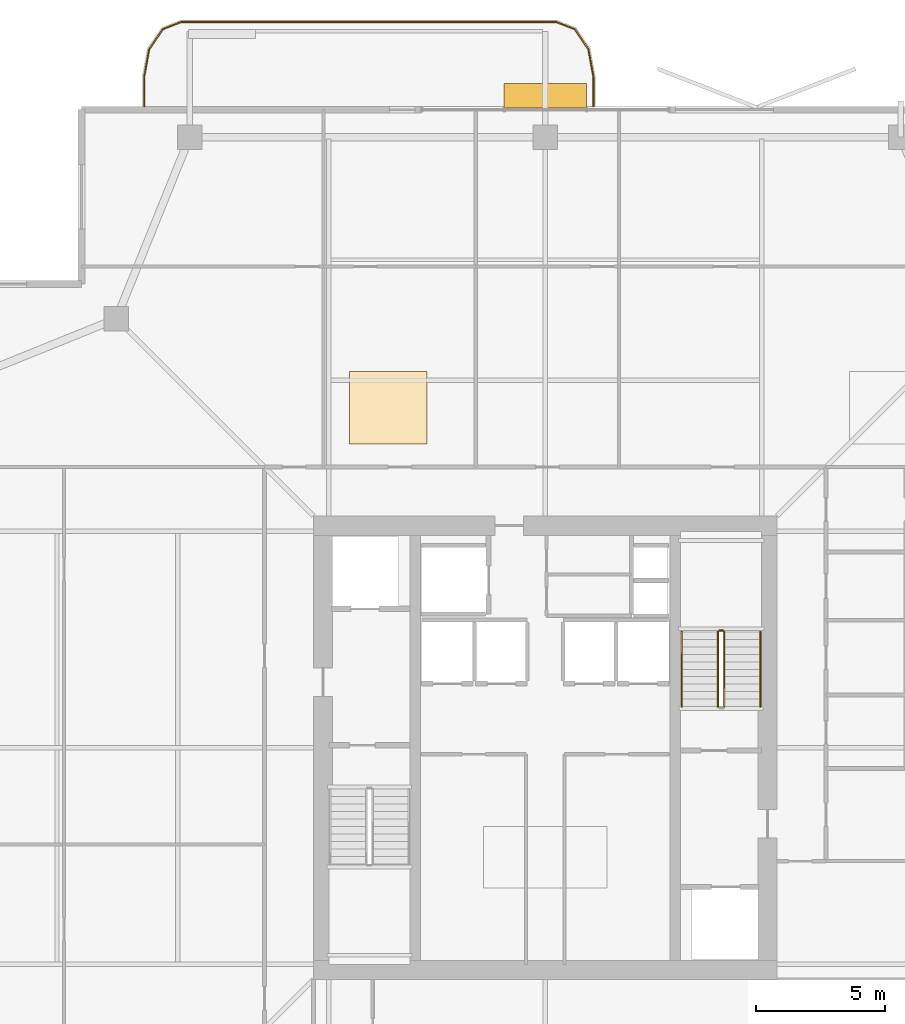
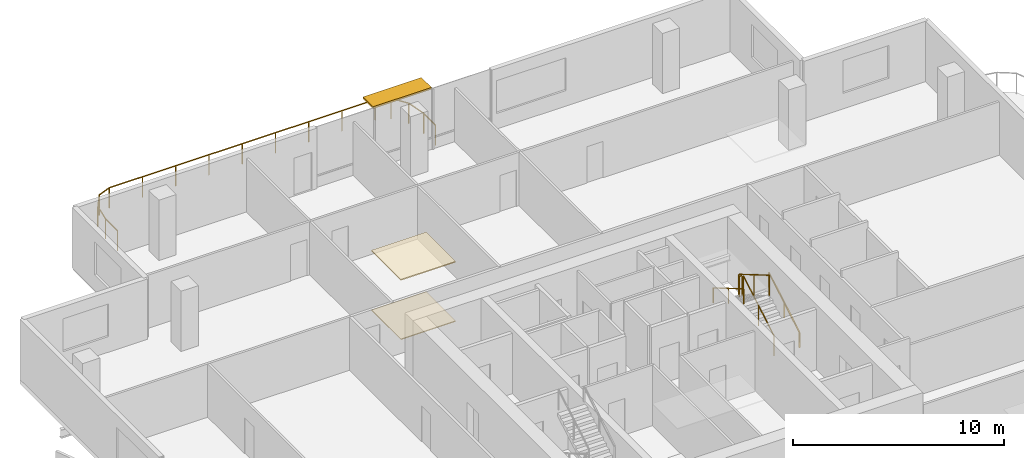
# One storey, part 24 of 25: 6 railings, 2 coverings, 1 shading device.
"""IFC4 building model written with IfcOpenShell, lengths in metres."""

from ifc_helpers import new_model, si_unit, direction, frame, origin, origin_2d, place, context, subcontext, project, spatial, polyline, rectangle, outline, extrude, material, layer, layer_set, type_object, element, save


model = new_model("IFC4")

# Units and contexts
model_context = context("Model", 3, precision=1e-05, world=origin(), true_north=direction((0.0, 1.0)))
body_context = subcontext(model_context, "Body", "Model", "MODEL_VIEW")
ifc_project = project(units=[si_unit("LENGTHUNIT", "METRE"), si_unit("AREAUNIT", "SQUARE_METRE"), si_unit("VOLUMEUNIT", "CUBIC_METRE"), si_unit("PLANEANGLEUNIT", "RADIAN"), si_unit("MASSUNIT", "GRAM", prefix="KILO")], contexts=[model_context])

# Site, building, storey
site_placement = place(None, origin())
site = spatial("IfcSite", under=ifc_project, at=site_placement, CompositionType="ELEMENT")
building_placement = place(site_placement, origin())
building = spatial("IfcBuilding", under=site, at=building_placement, Name="Belovzor Exchange Tower", CompositionType="ELEMENT")
storey_placement = place(building_placement, frame((0.0, 0.0, 269.10009765625)))
storey = spatial("IfcBuildingStorey", under=building, at=storey_placement, Name="L67", CompositionType="ELEMENT", Elevation=269.10009765625)

# Railings
ifc_material_1 = material(Name="Stainless Steel Grade 304", Category="steel")
railing_type_1 = type_object("IfcRailingType", Name="Brushed Stainless Steel Stair Handrail 900", PredefinedType="HANDRAIL", material=ifc_material_1)
railing_1_placement = place(storey_placement, frame((37.14990234375, 30.39990234375, 0.17041015625)))
element("IfcRailing", 1, at=railing_1_placement, inside=storey, type_object=railing_type_1, Name="L67 ST-2 stair handrail 1", PredefinedType="HANDRAIL", context=body_context, shape_type="SweptSolid", body=[
    extrude(rectangle(XDim=0.048095703125, YDim=0.048095703125, at=origin_2d()), frame((0.0, 0.0, 0.8759765625), z_axis=(0.0, 0.862113265706, 0.506715617574), x_axis=(-1.0, 0.0, 0.0)), (0.0, 0.0, 1.0), 3.364013671875),
    extrude(rectangle(XDim=0.0419921875, YDim=0.0419921875, at=origin_2d()), origin(), (0.0, 0.0, 1.0), 0.851806640625),
    extrude(rectangle(XDim=0.0419921875, YDim=0.0419921875, at=origin_2d()), frame((0.0, 1.4501953125, 0.852294921875)), (0.0, 0.0, 1.0), 0.851806640625),
    extrude(rectangle(XDim=0.0419921875, YDim=0.0419921875, at=origin_2d()), frame((0.0, 2.900146484375, 1.70458984375)), (0.0, 0.0, 1.0), 0.851806640625),
])
railing_2_placement = place(storey_placement, frame((34.10009765625, 33.300048828125, 2.04541015625)))
element("IfcRailing", 2, at=railing_2_placement, inside=storey, type_object=railing_type_1, Name="L67 ST-2 stair handrail 2", PredefinedType="HANDRAIL", context=body_context, shape_type="SweptSolid", body=[
    extrude(rectangle(XDim=0.048095703125, YDim=0.048095703125, at=origin_2d()), frame((0.0, 0.0, 0.8759765625), z_axis=(0.0, -0.862113265706, 0.506715617574), x_axis=(1.0, 0.0, 0.0)), (0.0, 0.0, 1.0), 3.364013671875),
    extrude(rectangle(XDim=0.0419921875, YDim=0.0419921875, at=origin_2d()), origin(), (0.0, 0.0, 1.0), 0.851806640625),
    extrude(rectangle(XDim=0.0419921875, YDim=0.0419921875, at=origin_2d()), frame((0.0, -1.4501953125, 0.852294921875)), (0.0, 0.0, 1.0), 0.851806640625),
    extrude(rectangle(XDim=0.0419921875, YDim=0.0419921875, at=origin_2d()), frame((0.0, -2.900146484375, 1.70458984375)), (0.0, 0.0, 1.0), 0.851806640625),
])
ifc_material_2 = material(Name="Stainless Steel and Laminated Safety Glass", Category="steel")
railing_type_2 = type_object("IfcRailingType", Name="Laminated Glass & Stainless Steel Balcony Balustrade 1200", PredefinedType="BALUSTRADE", material=ifc_material_2)
railing_3_placement = place(storey_placement, frame((30.669921875, 53.7099609375, 0.0)))
element("IfcRailing", 3, at=railing_3_placement, inside=storey, type_object=railing_type_2, Name="GR-1 Balcony Balustrade L67 North", PredefinedType="BALUSTRADE", context=body_context, shape_type="SweptSolid", body=[
    extrude(rectangle(XDim=0.048095703125, YDim=0.048095703125, at=origin_2d()), frame((0.0, 0.0, 1.17578125), z_axis=(0.0, 1.0, 0.0), x_axis=(-1.0, 0.0, 0.0)), (0.0, 0.0, 1.0), 1.133056640625),
    extrude(rectangle(XDim=0.048095703125, YDim=0.048095703125, at=origin_2d()), frame((0.0, 1.133056640625, 1.17578125), z_axis=(-0.180122719713, 0.983644145941, 0.0), x_axis=(-0.983644145941, -0.180122719713, 0.0)), (0.0, 0.0, 1.0), 1.09375),
    extrude(rectangle(XDim=0.048095703125, YDim=0.048095703125, at=origin_2d()), frame((-0.197021484375, 2.208984375, 1.17578125), z_axis=(-0.562768145367, 0.826614792125, 0.0), x_axis=(-0.826614792125, -0.562768145367, 0.0)), (0.0, 0.0, 1.0), 0.9326171875),
    extrude(rectangle(XDim=0.048095703125, YDim=0.048095703125, at=origin_2d()), frame((-0.721923828125, 2.97998046875, 1.17578125), z_axis=(-0.930766990125, 0.365612923861, 0.0), x_axis=(-0.365612923861, -0.930766990125, 0.0)), (0.0, 0.0, 1.0), 0.765869140625),
    extrude(rectangle(XDim=0.048095703125, YDim=0.048095703125, at=origin_2d()), frame((-1.434814453125, 3.260009765625, 1.17578125), z_axis=(-1.0, 0.0, 0.0), x_axis=(0.0, -1.0, 0.0)), (0.0, 0.0, 1.0), 14.570068359375),
    extrude(rectangle(XDim=0.048095703125, YDim=0.048095703125, at=origin_2d()), frame((-16.0048828125, 3.260009765625, 1.17578125), z_axis=(-0.930809580156, -0.365504480807, 0.0), x_axis=(0.365504480807, -0.930809580156, 0.0)), (0.0, 0.0, 1.0), 0.76611328125),
    extrude(rectangle(XDim=0.048095703125, YDim=0.048095703125, at=origin_2d()), frame((-16.718017578125, 2.97998046875, 1.17578125), z_axis=(-0.562768145367, -0.826614792125, 0.0), x_axis=(0.826614792125, -0.562768145367, 0.0)), (0.0, 0.0, 1.0), 0.9326171875),
    extrude(rectangle(XDim=0.048095703125, YDim=0.048095703125, at=origin_2d()), frame((-17.242919921875, 2.208984375, 1.17578125), z_axis=(-0.180122719713, -0.983644145941, 0.0), x_axis=(0.983644145941, -0.180122719713, 0.0)), (0.0, 0.0, 1.0), 1.09375),
    extrude(rectangle(XDim=0.048095703125, YDim=0.048095703125, at=origin_2d()), frame((-17.43994140625, 1.133056640625, 1.17578125), z_axis=(0.0, -1.0, 0.0), x_axis=(1.0, 0.0, 0.0)), (0.0, 0.0, 1.0), 1.133056640625),
    extrude(rectangle(XDim=0.0419921875, YDim=0.0419921875, at=origin_2d()), origin(), (0.0, 0.0, 1.0), 1.15185546875),
    extrude(rectangle(XDim=0.0419921875, YDim=0.0419921875, at=origin_2d()), frame((0.0, 1.133056640625, 0.0)), (0.0, 0.0, 1.0), 1.15185546875),
    extrude(rectangle(XDim=0.0419921875, YDim=0.0419921875, at=origin_2d()), frame((-0.197021484375, 2.208984375, 0.0)), (0.0, 0.0, 1.0), 1.15185546875),
    extrude(rectangle(XDim=0.0419921875, YDim=0.0419921875, at=origin_2d()), frame((-0.721923828125, 2.97998046875, 0.0)), (0.0, 0.0, 1.0), 1.15185546875),
    extrude(rectangle(XDim=0.0419921875, YDim=0.0419921875, at=origin_2d()), frame((-1.434814453125, 3.260009765625, 0.0)), (0.0, 0.0, 1.0), 1.15185546875),
    extrude(rectangle(XDim=0.0419921875, YDim=0.0419921875, at=origin_2d()), frame((-3.256103515625, 3.260009765625, 0.0)), (0.0, 0.0, 1.0), 1.15185546875),
    extrude(rectangle(XDim=0.0419921875, YDim=0.0419921875, at=origin_2d()), frame((-5.077392578125, 3.260009765625, 0.0)), (0.0, 0.0, 1.0), 1.15185546875),
    extrude(rectangle(XDim=0.0419921875, YDim=0.0419921875, at=origin_2d()), frame((-6.898681640625, 3.260009765625, 0.0)), (0.0, 0.0, 1.0), 1.15185546875),
    extrude(rectangle(XDim=0.0419921875, YDim=0.0419921875, at=origin_2d()), frame((-8.7197265625, 3.260009765625, 0.0)), (0.0, 0.0, 1.0), 1.15185546875),
    extrude(rectangle(XDim=0.0419921875, YDim=0.0419921875, at=origin_2d()), frame((-10.541015625, 3.260009765625, 0.0)), (0.0, 0.0, 1.0), 1.15185546875),
    extrude(rectangle(XDim=0.0419921875, YDim=0.0419921875, at=origin_2d()), frame((-12.3623046875, 3.260009765625, 0.0)), (0.0, 0.0, 1.0), 1.15185546875),
    extrude(rectangle(XDim=0.0419921875, YDim=0.0419921875, at=origin_2d()), frame((-14.18359375, 3.260009765625, 0.0)), (0.0, 0.0, 1.0), 1.15185546875),
    extrude(rectangle(XDim=0.0419921875, YDim=0.0419921875, at=origin_2d()), frame((-16.0048828125, 3.260009765625, 0.0)), (0.0, 0.0, 1.0), 1.15185546875),
    extrude(rectangle(XDim=0.0419921875, YDim=0.0419921875, at=origin_2d()), frame((-16.718017578125, 2.97998046875, 0.0)), (0.0, 0.0, 1.0), 1.15185546875),
    extrude(rectangle(XDim=0.0419921875, YDim=0.0419921875, at=origin_2d()), frame((-17.242919921875, 2.208984375, 0.0)), (0.0, 0.0, 1.0), 1.15185546875),
    extrude(rectangle(XDim=0.0419921875, YDim=0.0419921875, at=origin_2d()), frame((-17.43994140625, 1.133056640625, 0.0)), (0.0, 0.0, 1.0), 1.15185546875),
    extrude(rectangle(XDim=0.0419921875, YDim=0.0419921875, at=origin_2d()), frame((-17.43994140625, 0.0, 0.0)), (0.0, 0.0, 1.0), 1.15185546875),
])
ifc_material_3 = material(Name="Steel S355", Category="steel")
railing_type_3 = type_object("IfcRailingType", Name="Painted Steel Stairwell Guardrail 1200", PredefinedType="GUARDRAIL", material=ifc_material_3)
railing_4_placement = place(storey_placement, frame((35.75, 30.39990234375, 0.17041015625)))
element("IfcRailing", 4, at=railing_4_placement, inside=storey, type_object=railing_type_3, Name="L67 ST-2 stair guard 1", PredefinedType="GUARDRAIL", context=body_context, shape_type="SweptSolid", body=[
    extrude(rectangle(XDim=0.048095703125, YDim=0.048095703125, at=origin_2d()), frame((0.0, 0.0, 1.17578125), z_axis=(0.0, 0.862113265706, 0.506715617574), x_axis=(-1.0, 0.0, 0.0)), (0.0, 0.0, 1.0), 3.364013671875),
    extrude(rectangle(XDim=0.0419921875, YDim=0.0419921875, at=origin_2d()), origin(), (0.0, 0.0, 1.0), 1.15185546875),
    extrude(rectangle(XDim=0.0419921875, YDim=0.0419921875, at=origin_2d()), frame((0.0, 1.4501953125, 0.852294921875)), (0.0, 0.0, 1.0), 1.15185546875),
    extrude(rectangle(XDim=0.0419921875, YDim=0.0419921875, at=origin_2d()), frame((0.0, 2.900146484375, 1.70458984375)), (0.0, 0.0, 1.0), 1.15185546875),
])
railing_5_placement = place(storey_placement, frame((35.699951171875, 33.35009765625, 1.875)))
element("IfcRailing", 5, at=railing_5_placement, inside=storey, type_object=railing_type_3, Name="L67 ST-2 stair guard 2", PredefinedType="GUARDRAIL", context=body_context, shape_type="SweptSolid", body=[
    extrude(rectangle(XDim=0.048095703125, YDim=0.048095703125, at=origin_2d()), frame((0.0, 0.0, 1.17578125), z_axis=(-1.0, 0.0, 0.0), x_axis=(0.0, -1.0, 0.0)), (0.0, 0.0, 1.0), 0.14990234375),
    extrude(rectangle(XDim=0.0419921875, YDim=0.0419921875, at=origin_2d()), origin(), (0.0, 0.0, 1.0), 1.15185546875),
    extrude(rectangle(XDim=0.0419921875, YDim=0.0419921875, at=origin_2d()), frame((-0.14990234375, 0.0, 0.0)), (0.0, 0.0, 1.0), 1.15185546875),
])
railing_6_placement = place(storey_placement, frame((35.5, 33.300048828125, 2.04541015625)))
element("IfcRailing", 6, at=railing_6_placement, inside=storey, type_object=railing_type_3, Name="L67 ST-2 stair guard 3", PredefinedType="GUARDRAIL", context=body_context, shape_type="SweptSolid", body=[
    extrude(rectangle(XDim=0.048095703125, YDim=0.048095703125, at=origin_2d()), frame((0.0, 0.0, 1.17578125), z_axis=(0.0, -0.862113265706, 0.506715617574), x_axis=(1.0, 0.0, 0.0)), (0.0, 0.0, 1.0), 3.364013671875),
    extrude(rectangle(XDim=0.0419921875, YDim=0.0419921875, at=origin_2d()), origin(), (0.0, 0.0, 1.0), 1.15185546875),
    extrude(rectangle(XDim=0.0419921875, YDim=0.0419921875, at=origin_2d()), frame((0.0, -1.4501953125, 0.852294921875)), (0.0, 0.0, 1.0), 1.15185546875),
    extrude(rectangle(XDim=0.0419921875, YDim=0.0419921875, at=origin_2d()), frame((0.0, -2.900146484375, 1.70458984375)), (0.0, 0.0, 1.0), 1.15185546875),
])

# Coverings
ifc_material_4 = material(Name="Perforated Powder-Coated Aluminium", Category="aluminium")
ifc_layer_1 = layer(ifc_material_4, 0.06005859375)
ifc_layer_set_1 = layer_set([ifc_layer_1], Name="Perforated Powder-Coated Aluminium")
covering_type_1 = type_object("IfcCoveringType", Name="Perforated Acoustic Metal Tile Suspended Ceiling 60", PredefinedType="CEILING", material=ifc_layer_set_1)
covering_1_placement = place(storey_placement, frame((0.0, 0.0, 3.43994140625)))
element("IfcCovering", 7, at=covering_1_placement, inside=storey, type_object=covering_type_1, Name="CLG-AC60 Suspended Ceiling CLG-L67-Z3", PredefinedType="CEILING", context=body_context, shape_type="SweptSolid", body=[
    extrude(outline(polyline([(21.199951171875, 40.60009765625), (24.199951171875, 40.60009765625), (24.199951171875, 43.39990234375), (21.199951171875, 43.39990234375), (21.199951171875, 40.60009765625)])), origin(), (0.0, 0.0, 1.0), 0.06005859375),
])
ifc_material_5 = material(Name="Polished Natural Granite Tile", Category="masonry")
ifc_layer_2 = layer(ifc_material_5, 0.050048828125)
ifc_layer_set_2 = layer_set([ifc_layer_2], Name="Polished Natural Granite Tile")
covering_type_2 = type_object("IfcCoveringType", Name="Polished Karelian Granite & Raised Access Floor Finish 50", PredefinedType="FLOORING", material=ifc_layer_set_2)
covering_2_placement = place(storey_placement, origin())
element("IfcCovering", 8, at=covering_2_placement, inside=storey, type_object=covering_type_2, Name="FLR-GR50 Floor Finish FLR-L67-Z3", PredefinedType="FLOORING", context=body_context, shape_type="SweptSolid", body=[
    extrude(outline(polyline([(21.199951171875, 40.60009765625), (24.199951171875, 40.60009765625), (24.199951171875, 43.39990234375), (21.199951171875, 43.39990234375), (21.199951171875, 40.60009765625)])), origin(), (0.0, 0.0, 1.0), 0.0498046875),
])

# Shading device
ifc_material_6 = material(Name="Extruded Architectural Terracotta", Category="masonry")
ifc_layer_3 = layer(ifc_material_6, 0.1201171875)
ifc_layer_set_3 = layer_set([ifc_layer_3], Name="Extruded Architectural Terracotta")
shading_device_type = type_object("IfcShadingDeviceType", Name="Streamline Terracotta Horizontal Sunshade Hood 950", PredefinedType="AWNING", material=ifc_layer_set_3)
shading_device_placement = place(storey_placement, frame((28.800048828125, 54.114990234375, 3.3798828125), z_axis=(0.0, 0.0, 1.0), x_axis=(1.0, 0.0, 0.0)))
element("IfcShadingDevice", 9, at=shading_device_placement, inside=storey, type_object=shading_device_type, Name="SHD-TC095 Terracotta Sunshade L67 N", PredefinedType="AWNING", context=body_context, shape_type="SweptSolid", body=[
    extrude(rectangle(XDim=3.199951171875, YDim=0.949951171875, at=origin_2d()), origin(), (0.0, 0.0, 1.0), 0.1201171875),
])

save(model, "model.ifc")
